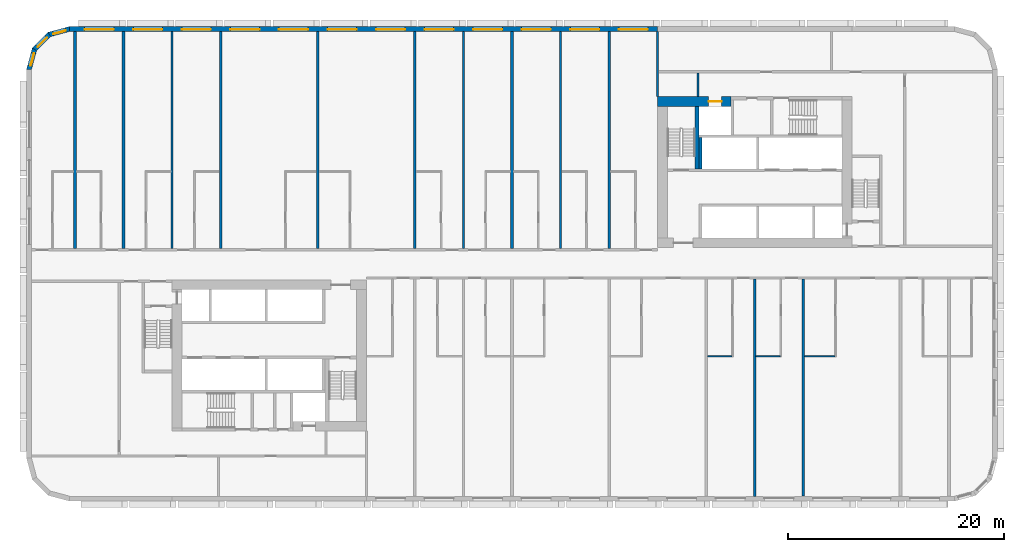
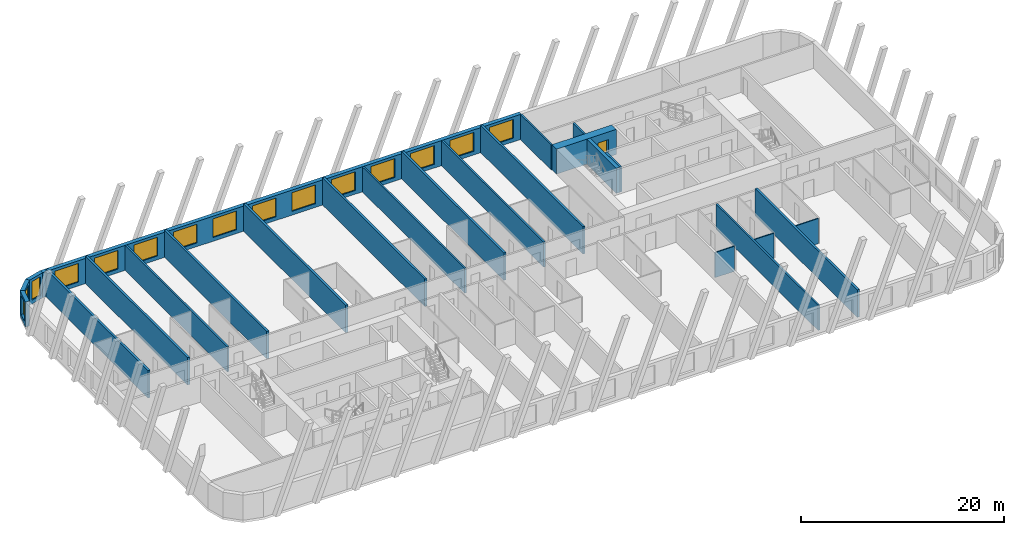
# One storey, part 6 of 13: 24 walls, 15 windows, 1 door, 16 openings.
"""IFC4 building model written with IfcOpenShell, lengths in metres."""

from ifc_helpers import new_model, si_unit, direction, frame, frame_2d, origin, place, context, subcontext, project, spatial, polyline, rectangle, outline, extrude, material, layer, layer_set, type_object, element, fill, save


model = new_model("IFC4")

# Units and contexts
model_context = context("Model", 3, precision=1e-05, world=origin(), true_north=direction((0.0, 1.0)))
body_context = subcontext(model_context, "Body", "Model", "MODEL_VIEW")
ifc_project = project(units=[si_unit("LENGTHUNIT", "METRE"), si_unit("AREAUNIT", "SQUARE_METRE"), si_unit("VOLUMEUNIT", "CUBIC_METRE"), si_unit("PLANEANGLEUNIT", "RADIAN"), si_unit("MASSUNIT", "GRAM", prefix="KILO")], contexts=[model_context])

# Site, building, storey
site_placement = place(None, origin())
site = spatial("IfcSite", under=ifc_project, at=site_placement, CompositionType="ELEMENT")
building_placement = place(site_placement, origin())
building = spatial("IfcBuilding", under=site, at=building_placement, Name="Kajstack Hotel Tower", CompositionType="ELEMENT")
storey_placement = place(building_placement, frame((0.0, 0.0, 69.89990234375)))
storey = spatial("IfcBuildingStorey", under=building, at=storey_placement, Name="L12", CompositionType="ELEMENT", Elevation=69.89990234375)

# Wall, opening, door
ifc_material_1 = material(Name="Concrete C60/75", Category="concrete")
ifc_layer_1 = layer(ifc_material_1, 0.89990234375)
ifc_layer_set_1 = layer_set([ifc_layer_1], Name="Core wall 900")
wall_type_1 = type_object("IfcWallType", Name="Core wall 900", PredefinedType="SHEAR", material=ifc_layer_set_1)
wall_1_placement = place(storey_placement, frame((13.5, 15.050048828125, 0.0), z_axis=(0.0, 0.0, 1.0), x_axis=(1.0, 0.0, 0.0)))
wall_1 = element("IfcWall", 1, at=wall_1_placement, inside=storey, type_object=wall_type_1, Name="Core wall E RS", PredefinedType="SHEAR", context=body_context, shape_type="SweptSolid", body=[
    extrude(rectangle(XDim=6.800048828125, YDim=0.89990234375, at=frame_2d((3.39990234375, 0.0))), origin(), (0.0, 0.0, 1.0), 3.02001953125),
])
opening_1_placement = place(wall_1_placement, frame((4.72509765625, 0.0, 0.0)))
opening_1 = element("IfcOpeningElement", 2, at=opening_1_placement, cuts=wall_1, Name="Opening LD-SV2", PredefinedType="OPENING", context=body_context, shape_type="SweptSolid", body=[
    extrude(rectangle(XDim=1.199951171875, YDim=2.10009765625, at=frame_2d((0.60009765625, 1.050048828125))), frame((0.0, 0.4599609375, 0.0), z_axis=(0.0, -1.0, 0.0), x_axis=(1.0, 0.0, 0.0)), (0.0, 0.0, 1.0), 0.919921875),
])
ifc_material_2 = material(Name="Stainless steel", Category="steel")
door_type = type_object("IfcDoorType", Name="Lift landing door 1200", OperationType="SLIDING_TO_LEFT", PredefinedType="DOOR", material=ifc_material_2)
door_placement = place(opening_1_placement, origin())
door = element("IfcDoor", 3, at=door_placement, inside=storey, type_object=door_type, Name="Landing door SV2", OperationType="SLIDING_TO_LEFT", OverallHeight=2.10009765625, OverallWidth=1.199951171875, PredefinedType="DOOR", context=body_context, shape_type="SweptSolid", body=[
    extrude(rectangle(XDim=1.199951171875, YDim=2.10009765625, at=frame_2d((0.60009765625, 1.050048828125))), frame((0.0, 0.02490234375, 0.0), z_axis=(0.0, -1.0, 0.0), x_axis=(1.0, 0.0, 0.0)), (0.0, 0.0, 1.0), 0.050048828125),
])
fill(opening_1, door)

# Walls
ifc_material_3 = material(Name="Twin-frame gypsum board on steel studs, mineral wool", Category="steel")
ifc_layer_2 = layer(ifc_material_3, 0.199951171875)
ifc_layer_set_2 = layer_set([ifc_layer_2], Name="Demising wall 200")
wall_type_2 = type_object("IfcWallType", Name="Demising wall 200", PredefinedType="PARTITIONING", material=ifc_layer_set_2)
wall_2_placement = place(storey_placement, frame((13.5, 15.5, 0.0), z_axis=(0.0, 0.0, 1.0), x_axis=(0.0, 1.0, 0.0)))
element("IfcWall", 4, at=wall_2_placement, inside=storey, type_object=wall_type_2, Name="G-wall-L12-001", PredefinedType="PARTITIONING", context=body_context, shape_type="SweptSolid", body=[
    extrude(rectangle(XDim=6.050048828125, YDim=0.199951171875, at=frame_2d((3.02490234375, 0.0))), origin(), (0.0, 0.0, 1.0), 3.02001953125),
])
for number, where, z_axis, x_axis, name in (
    (5, (-31.5, 1.39990234375, 0.0), (0.0, 0.0, 1.0), (0.0, 1.0, 0.0), "G-wall-L12-008"),
    (6, (-4.5, 1.39990234375, 0.0), (0.0, 0.0, 1.0), (0.0, 1.0, 0.0), "G-wall-L12-017"),
    (7, (4.5, 1.39990234375, 0.0), (0.0, 0.0, 1.0), (0.0, 1.0, 0.0), "G-wall-L12-022"),
    (8, (22.5, -21.550048828125, 0.0), (0.0, 0.0, 1.0), (0.0, 1.0, 0.0), "G-wall-L12-041"),
):
    element("IfcWall", number, at=place(storey_placement, frame(where, z_axis=z_axis, x_axis=x_axis)), inside=storey, type_object=wall_type_2, Name=name, PredefinedType="PARTITIONING", context=body_context, shape_type="SweptSolid", body=[
        extrude(rectangle(XDim=20.150146484375, YDim=0.199951171875, at=frame_2d((10.0751953125, 0.0))), origin(), (0.0, 0.0, 1.0), 3.02001953125),
    ])

# Wall, openings, windows
ifc_material_4 = material(Name="Terracotta-faced brick masonry", Category="masonry")
ifc_layer_3 = layer(ifc_material_4, 0.449951171875)
ifc_layer_set_3 = layer_set([ifc_layer_3], Name="EW-TERRA")
wall_type_3 = type_object("IfcWallType", Name="EW-TERRA", PredefinedType="SOLIDWALL", material=ifc_layer_set_3)
wall_3_placement = place(storey_placement, frame((13.5, 21.77490234375, 0.0), z_axis=(0.0, 0.0, 1.0), x_axis=(-1.0, 0.0, 0.0)))
wall_3 = element("IfcWall", 9, at=wall_3_placement, inside=storey, type_object=wall_type_3, Name="E-wall-L12-11-02", PredefinedType="SOLIDWALL", context=body_context, shape_type="SweptSolid", body=[
    extrude(rectangle(XDim=54.5, YDim=0.449951171875, at=frame_2d((27.25, 0.0))), origin(), (0.0, 0.0, 1.0), 3.02001953125),
])
opening_2_placement = place(wall_3_placement, frame((0.89990234375, 0.0, 0.449951171875)))
opening_2 = element("IfcOpeningElement", 10, at=opening_2_placement, cuts=wall_3, Name="Opening W1", PredefinedType="OPENING", context=body_context, shape_type="SweptSolid", body=[
    extrude(rectangle(XDim=2.699951171875, YDim=2.25, at=frame_2d((1.35009765625, 1.125))), frame((0.0, 0.23486328125, 0.0), z_axis=(0.0, -1.0, 0.0), x_axis=(1.0, 0.0, 0.0)), (0.0, 0.0, 1.0), 0.469970703125),
])
opening_3_placement = place(wall_3_placement, frame((5.39990234375, 0.0, 0.449951171875)))
opening_3 = element("IfcOpeningElement", 11, at=opening_3_placement, cuts=wall_3, Name="Opening W1", PredefinedType="OPENING", context=body_context, shape_type="SweptSolid", body=[
    extrude(rectangle(XDim=2.699951171875, YDim=2.25, at=frame_2d((1.35009765625, 1.125))), frame((0.0, 0.23486328125, 0.0), z_axis=(0.0, -1.0, 0.0), x_axis=(1.0, 0.0, 0.0)), (0.0, 0.0, 1.0), 0.469970703125),
])
opening_4_placement = place(wall_3_placement, frame((9.89990234375, 0.0, 0.449951171875)))
opening_4 = element("IfcOpeningElement", 12, at=opening_4_placement, cuts=wall_3, Name="Opening W1", PredefinedType="OPENING", context=body_context, shape_type="SweptSolid", body=[
    extrude(rectangle(XDim=2.699951171875, YDim=2.25, at=frame_2d((1.35009765625, 1.125))), frame((0.0, 0.23486328125, 0.0), z_axis=(0.0, -1.0, 0.0), x_axis=(1.0, 0.0, 0.0)), (0.0, 0.0, 1.0), 0.469970703125),
])
opening_5_placement = place(wall_3_placement, frame((14.39990234375, 0.0, 0.449951171875)))
opening_5 = element("IfcOpeningElement", 13, at=opening_5_placement, cuts=wall_3, Name="Opening W1", PredefinedType="OPENING", context=body_context, shape_type="SweptSolid", body=[
    extrude(rectangle(XDim=2.699951171875, YDim=2.25, at=frame_2d((1.35009765625, 1.125))), frame((0.0, 0.23486328125, 0.0), z_axis=(0.0, -1.0, 0.0), x_axis=(1.0, 0.0, 0.0)), (0.0, 0.0, 1.0), 0.469970703125),
])
opening_6_placement = place(wall_3_placement, frame((18.89990234375, 0.0, 0.449951171875)))
opening_6 = element("IfcOpeningElement", 14, at=opening_6_placement, cuts=wall_3, Name="Opening W1", PredefinedType="OPENING", context=body_context, shape_type="SweptSolid", body=[
    extrude(rectangle(XDim=2.699951171875, YDim=2.25, at=frame_2d((1.35009765625, 1.125))), frame((0.0, 0.23486328125, 0.0), z_axis=(0.0, -1.0, 0.0), x_axis=(1.0, 0.0, 0.0)), (0.0, 0.0, 1.0), 0.469970703125),
])
opening_7_placement = place(wall_3_placement, frame((23.39990234375, 0.0, 0.449951171875)))
opening_7 = element("IfcOpeningElement", 15, at=opening_7_placement, cuts=wall_3, Name="Opening W1", PredefinedType="OPENING", context=body_context, shape_type="SweptSolid", body=[
    extrude(rectangle(XDim=2.699951171875, YDim=2.25, at=frame_2d((1.35009765625, 1.125))), frame((0.0, 0.23486328125, 0.0), z_axis=(0.0, -1.0, 0.0), x_axis=(1.0, 0.0, 0.0)), (0.0, 0.0, 1.0), 0.469970703125),
])
opening_8_placement = place(wall_3_placement, frame((27.89990234375, 0.0, 0.449951171875)))
opening_8 = element("IfcOpeningElement", 16, at=opening_8_placement, cuts=wall_3, Name="Opening W1", PredefinedType="OPENING", context=body_context, shape_type="SweptSolid", body=[
    extrude(rectangle(XDim=2.699951171875, YDim=2.25, at=frame_2d((1.35009765625, 1.125))), frame((0.0, 0.23486328125, 0.0), z_axis=(0.0, -1.0, 0.0), x_axis=(1.0, 0.0, 0.0)), (0.0, 0.0, 1.0), 0.469970703125),
])
opening_9_placement = place(wall_3_placement, frame((32.39990234375, 0.0, 0.449951171875)))
opening_9 = element("IfcOpeningElement", 17, at=opening_9_placement, cuts=wall_3, Name="Opening W1", PredefinedType="OPENING", context=body_context, shape_type="SweptSolid", body=[
    extrude(rectangle(XDim=2.699951171875, YDim=2.25, at=frame_2d((1.35009765625, 1.125))), frame((0.0, 0.23486328125, 0.0), z_axis=(0.0, -1.0, 0.0), x_axis=(1.0, 0.0, 0.0)), (0.0, 0.0, 1.0), 0.469970703125),
])
opening_10_placement = place(wall_3_placement, frame((36.89990234375, 0.0, 0.449951171875)))
opening_10 = element("IfcOpeningElement", 18, at=opening_10_placement, cuts=wall_3, Name="Opening W1", PredefinedType="OPENING", context=body_context, shape_type="SweptSolid", body=[
    extrude(rectangle(XDim=2.699951171875, YDim=2.25, at=frame_2d((1.35009765625, 1.125))), frame((0.0, 0.23486328125, 0.0), z_axis=(0.0, -1.0, 0.0), x_axis=(1.0, 0.0, 0.0)), (0.0, 0.0, 1.0), 0.469970703125),
])
opening_11_placement = place(wall_3_placement, frame((41.39990234375, 0.0, 0.449951171875)))
opening_11 = element("IfcOpeningElement", 19, at=opening_11_placement, cuts=wall_3, Name="Opening W1", PredefinedType="OPENING", context=body_context, shape_type="SweptSolid", body=[
    extrude(rectangle(XDim=2.699951171875, YDim=2.25, at=frame_2d((1.35009765625, 1.125))), frame((0.0, 0.23486328125, 0.0), z_axis=(0.0, -1.0, 0.0), x_axis=(1.0, 0.0, 0.0)), (0.0, 0.0, 1.0), 0.469970703125),
])
opening_12_placement = place(wall_3_placement, frame((45.89990234375, 0.0, 0.449951171875)))
opening_12 = element("IfcOpeningElement", 20, at=opening_12_placement, cuts=wall_3, Name="Opening W1", PredefinedType="OPENING", context=body_context, shape_type="SweptSolid", body=[
    extrude(rectangle(XDim=2.699951171875, YDim=2.25, at=frame_2d((1.35009765625, 1.125))), frame((0.0, 0.23486328125, 0.0), z_axis=(0.0, -1.0, 0.0), x_axis=(1.0, 0.0, 0.0)), (0.0, 0.0, 1.0), 0.469970703125),
])
opening_13_placement = place(wall_3_placement, frame((50.39990234375, 0.0, 0.449951171875)))
opening_13 = element("IfcOpeningElement", 21, at=opening_13_placement, cuts=wall_3, Name="Opening W1", PredefinedType="OPENING", context=body_context, shape_type="SweptSolid", body=[
    extrude(rectangle(XDim=2.699951171875, YDim=2.25, at=frame_2d((1.35009765625, 1.125))), frame((0.0, 0.23486328125, 0.0), z_axis=(0.0, -1.0, 0.0), x_axis=(1.0, 0.0, 0.0)), (0.0, 0.0, 1.0), 0.469970703125),
])
ifc_material_5 = material(Name="Timber-aluminium window, triple glazed", Category="wood")
window_type_1 = type_object("IfcWindowType", Name="WG1", PartitioningType="SINGLE_PANEL", PredefinedType="WINDOW", material=ifc_material_5)
window_1_placement = place(opening_2_placement, origin())
window_1 = element("IfcWindow", 22, at=window_1_placement, inside=storey, type_object=window_type_1, Name="Window W1 L12-11", OverallHeight=2.25, OverallWidth=2.699951171875, PartitioningType="SINGLE_PANEL", PredefinedType="WINDOW", context=body_context, shape_type="SweptSolid", body=[
    extrude(rectangle(XDim=2.699951171875, YDim=2.25, at=frame_2d((1.35009765625, 1.125))), frame((0.0, 0.090087890625, 0.0), z_axis=(0.0, -1.0, 0.0), x_axis=(1.0, 0.0, 0.0)), (0.0, 0.0, 1.0), 0.06005859375),
])
fill(opening_2, window_1)
window_2_placement = place(opening_3_placement, origin())
window_2 = element("IfcWindow", 23, at=window_2_placement, inside=storey, type_object=window_type_1, Name="Window W1 L12-11", OverallHeight=2.25, OverallWidth=2.699951171875, PartitioningType="SINGLE_PANEL", PredefinedType="WINDOW", context=body_context, shape_type="SweptSolid", body=[
    extrude(rectangle(XDim=2.699951171875, YDim=2.25, at=frame_2d((1.35009765625, 1.125))), frame((0.0, 0.090087890625, 0.0), z_axis=(0.0, -1.0, 0.0), x_axis=(1.0, 0.0, 0.0)), (0.0, 0.0, 1.0), 0.06005859375),
])
fill(opening_3, window_2)
window_3_placement = place(opening_4_placement, origin())
window_3 = element("IfcWindow", 24, at=window_3_placement, inside=storey, type_object=window_type_1, Name="Window W1 L12-11", OverallHeight=2.25, OverallWidth=2.699951171875, PartitioningType="SINGLE_PANEL", PredefinedType="WINDOW", context=body_context, shape_type="SweptSolid", body=[
    extrude(rectangle(XDim=2.699951171875, YDim=2.25, at=frame_2d((1.35009765625, 1.125))), frame((0.0, 0.090087890625, 0.0), z_axis=(0.0, -1.0, 0.0), x_axis=(1.0, 0.0, 0.0)), (0.0, 0.0, 1.0), 0.06005859375),
])
fill(opening_4, window_3)
window_4_placement = place(opening_5_placement, origin())
window_4 = element("IfcWindow", 25, at=window_4_placement, inside=storey, type_object=window_type_1, Name="Window W1 L12-11", OverallHeight=2.25, OverallWidth=2.699951171875, PartitioningType="SINGLE_PANEL", PredefinedType="WINDOW", context=body_context, shape_type="SweptSolid", body=[
    extrude(rectangle(XDim=2.699951171875, YDim=2.25, at=frame_2d((1.35009765625, 1.125))), frame((0.0, 0.090087890625, 0.0), z_axis=(0.0, -1.0, 0.0), x_axis=(1.0, 0.0, 0.0)), (0.0, 0.0, 1.0), 0.06005859375),
])
fill(opening_5, window_4)
window_5_placement = place(opening_6_placement, origin())
window_5 = element("IfcWindow", 26, at=window_5_placement, inside=storey, type_object=window_type_1, Name="Window W1 L12-11", OverallHeight=2.25, OverallWidth=2.699951171875, PartitioningType="SINGLE_PANEL", PredefinedType="WINDOW", context=body_context, shape_type="SweptSolid", body=[
    extrude(rectangle(XDim=2.699951171875, YDim=2.25, at=frame_2d((1.35009765625, 1.125))), frame((0.0, 0.090087890625, 0.0), z_axis=(0.0, -1.0, 0.0), x_axis=(1.0, 0.0, 0.0)), (0.0, 0.0, 1.0), 0.06005859375),
])
fill(opening_6, window_5)
window_6_placement = place(opening_7_placement, origin())
window_6 = element("IfcWindow", 27, at=window_6_placement, inside=storey, type_object=window_type_1, Name="Window W1 L12-11", OverallHeight=2.25, OverallWidth=2.699951171875, PartitioningType="SINGLE_PANEL", PredefinedType="WINDOW", context=body_context, shape_type="SweptSolid", body=[
    extrude(rectangle(XDim=2.699951171875, YDim=2.25, at=frame_2d((1.35009765625, 1.125))), frame((0.0, 0.090087890625, 0.0), z_axis=(0.0, -1.0, 0.0), x_axis=(1.0, 0.0, 0.0)), (0.0, 0.0, 1.0), 0.06005859375),
])
fill(opening_7, window_6)
window_7_placement = place(opening_8_placement, origin())
window_7 = element("IfcWindow", 28, at=window_7_placement, inside=storey, type_object=window_type_1, Name="Window W1 L12-11", OverallHeight=2.25, OverallWidth=2.699951171875, PartitioningType="SINGLE_PANEL", PredefinedType="WINDOW", context=body_context, shape_type="SweptSolid", body=[
    extrude(rectangle(XDim=2.699951171875, YDim=2.25, at=frame_2d((1.35009765625, 1.125))), frame((0.0, 0.090087890625, 0.0), z_axis=(0.0, -1.0, 0.0), x_axis=(1.0, 0.0, 0.0)), (0.0, 0.0, 1.0), 0.06005859375),
])
fill(opening_8, window_7)
window_8_placement = place(opening_9_placement, origin())
window_8 = element("IfcWindow", 29, at=window_8_placement, inside=storey, type_object=window_type_1, Name="Window W1 L12-11", OverallHeight=2.25, OverallWidth=2.699951171875, PartitioningType="SINGLE_PANEL", PredefinedType="WINDOW", context=body_context, shape_type="SweptSolid", body=[
    extrude(rectangle(XDim=2.699951171875, YDim=2.25, at=frame_2d((1.35009765625, 1.125))), frame((0.0, 0.090087890625, 0.0), z_axis=(0.0, -1.0, 0.0), x_axis=(1.0, 0.0, 0.0)), (0.0, 0.0, 1.0), 0.06005859375),
])
fill(opening_9, window_8)
window_9_placement = place(opening_10_placement, origin())
window_9 = element("IfcWindow", 30, at=window_9_placement, inside=storey, type_object=window_type_1, Name="Window W1 L12-11", OverallHeight=2.25, OverallWidth=2.699951171875, PartitioningType="SINGLE_PANEL", PredefinedType="WINDOW", context=body_context, shape_type="SweptSolid", body=[
    extrude(rectangle(XDim=2.699951171875, YDim=2.25, at=frame_2d((1.35009765625, 1.125))), frame((0.0, 0.090087890625, 0.0), z_axis=(0.0, -1.0, 0.0), x_axis=(1.0, 0.0, 0.0)), (0.0, 0.0, 1.0), 0.06005859375),
])
fill(opening_10, window_9)
window_10_placement = place(opening_11_placement, origin())
window_10 = element("IfcWindow", 31, at=window_10_placement, inside=storey, type_object=window_type_1, Name="Window W1 L12-11", OverallHeight=2.25, OverallWidth=2.699951171875, PartitioningType="SINGLE_PANEL", PredefinedType="WINDOW", context=body_context, shape_type="SweptSolid", body=[
    extrude(rectangle(XDim=2.699951171875, YDim=2.25, at=frame_2d((1.35009765625, 1.125))), frame((0.0, 0.090087890625, 0.0), z_axis=(0.0, -1.0, 0.0), x_axis=(1.0, 0.0, 0.0)), (0.0, 0.0, 1.0), 0.06005859375),
])
fill(opening_11, window_10)
window_11_placement = place(opening_12_placement, origin())
window_11 = element("IfcWindow", 32, at=window_11_placement, inside=storey, type_object=window_type_1, Name="Window W1 L12-11", OverallHeight=2.25, OverallWidth=2.699951171875, PartitioningType="SINGLE_PANEL", PredefinedType="WINDOW", context=body_context, shape_type="SweptSolid", body=[
    extrude(rectangle(XDim=2.699951171875, YDim=2.25, at=frame_2d((1.35009765625, 1.125))), frame((0.0, 0.090087890625, 0.0), z_axis=(0.0, -1.0, 0.0), x_axis=(1.0, 0.0, 0.0)), (0.0, 0.0, 1.0), 0.06005859375),
])
fill(opening_12, window_11)
window_12_placement = place(opening_13_placement, origin())
window_12 = element("IfcWindow", 33, at=window_12_placement, inside=storey, type_object=window_type_1, Name="Window W1 L12-11", OverallHeight=2.25, OverallWidth=2.699951171875, PartitioningType="SINGLE_PANEL", PredefinedType="WINDOW", context=body_context, shape_type="SweptSolid", body=[
    extrude(rectangle(XDim=2.699951171875, YDim=2.25, at=frame_2d((1.35009765625, 1.125))), frame((0.0, 0.090087890625, 0.0), z_axis=(0.0, -1.0, 0.0), x_axis=(1.0, 0.0, 0.0)), (0.0, 0.0, 1.0), 0.06005859375),
])
fill(opening_13, window_12)

# Wall, opening, window
wall_4_placement = place(storey_placement, frame((-40.941650390625, 21.78271484375, 0.0), z_axis=(0.0, 0.0, 1.0), x_axis=(-0.965926999034, -0.25881466832, 0.0)))
wall_4 = element("IfcWall", 34, at=wall_4_placement, inside=storey, type_object=wall_type_3, Name="E-wall-L12-12-00", PredefinedType="SOLIDWALL", context=body_context, shape_type="SweptSolid", body=[
    extrude(outline(polyline([(0.000244140625, -0.22509765625), (2.070556640625, -0.224853515625), (1.9501953125, 0.22509765625), (0.12060546875, 0.22509765625), (0.000244140625, -0.22509765625)])), origin(), (0.0, 0.0, 1.0), 3.02001953125),
])
opening_14_placement = place(wall_4_placement, frame((0.435302734375, 0.0, 0.449951171875)))
opening_14 = element("IfcOpeningElement", 35, at=opening_14_placement, cuts=wall_4, Name="Opening W3", PredefinedType="OPENING", context=body_context, shape_type="SweptSolid", body=[
    extrude(rectangle(XDim=1.199951171875, YDim=2.25, at=frame_2d((0.60009765625, 1.125))), frame((0.0, 0.23486328125, 0.0), z_axis=(0.0, -1.0, 0.0), x_axis=(1.0, 0.0, 0.0)), (0.0, 0.0, 1.0), 0.469970703125),
])
window_type_2 = type_object("IfcWindowType", Name="WG3", PartitioningType="SINGLE_PANEL", PredefinedType="WINDOW", material=ifc_material_5)
window_13_placement = place(opening_14_placement, origin())
window_13 = element("IfcWindow", 36, at=window_13_placement, inside=storey, type_object=window_type_2, Name="Window W3 L12-12", OverallHeight=2.25, OverallWidth=1.199951171875, PartitioningType="SINGLE_PANEL", PredefinedType="WINDOW", context=body_context, shape_type="SweptSolid", body=[
    extrude(rectangle(XDim=1.199951171875, YDim=2.25, at=frame_2d((0.60009765625, 1.125))), frame((0.0, 0.090087890625, 0.0), z_axis=(0.0, -1.0, 0.0), x_axis=(1.0, 0.0, 0.0)), (0.0, 0.0, 1.0), 0.06005859375),
])
fill(opening_14, window_13)

wall_5_placement = place(storey_placement, frame((-42.8408203125, 21.304931640625, 0.0), z_axis=(0.0, 0.0, 1.0), x_axis=(-0.707106781187, -0.707106781187, 0.0)))
wall_5 = element("IfcWall", 37, at=wall_5_placement, inside=storey, type_object=wall_type_3, Name="E-wall-L12-13-00", PredefinedType="SOLIDWALL", context=body_context, shape_type="SweptSolid", body=[
    extrude(outline(polyline([(0.0, -0.22509765625), (2.070556640625, -0.22509765625), (1.949951171875, 0.224853515625), (0.12060546875, 0.224853515625), (0.0, -0.22509765625)])), origin(), (0.0, 0.0, 1.0), 3.02001953125),
])
opening_15_placement = place(wall_5_placement, frame((0.435302734375, 0.0, 0.449951171875)))
opening_15 = element("IfcOpeningElement", 38, at=opening_15_placement, cuts=wall_5, Name="Opening W3", PredefinedType="OPENING", context=body_context, shape_type="SweptSolid", body=[
    extrude(rectangle(XDim=1.199951171875, YDim=2.25, at=frame_2d((0.60009765625, 1.125))), frame((0.0, 0.23486328125, 0.0), z_axis=(0.0, -1.0, 0.0), x_axis=(1.0, 0.0, 0.0)), (0.0, 0.0, 1.0), 0.469970703125),
])
window_14_placement = place(opening_15_placement, origin())
window_14 = element("IfcWindow", 39, at=window_14_placement, inside=storey, type_object=window_type_2, Name="Window W3 L12-13", OverallHeight=2.25, OverallWidth=1.199951171875, PartitioningType="SINGLE_PANEL", PredefinedType="WINDOW", context=body_context, shape_type="SweptSolid", body=[
    extrude(rectangle(XDim=1.199951171875, YDim=2.25, at=frame_2d((0.60009765625, 1.125))), frame((0.0, 0.090087890625, 0.0), z_axis=(0.0, -1.0, 0.0), x_axis=(1.0, 0.0, 0.0)), (0.0, 0.0, 1.0), 0.06005859375),
])
fill(opening_15, window_14)

wall_6_placement = place(storey_placement, frame((-44.246826171875, 19.941650390625, 0.0), z_axis=(0.0, 0.0, 1.0), x_axis=(-0.25881466832, -0.965926999034, 0.0)))
wall_6 = element("IfcWall", 40, at=wall_6_placement, inside=storey, type_object=wall_type_3, Name="E-wall-L12-14-00", PredefinedType="SOLIDWALL", context=body_context, shape_type="SweptSolid", body=[
    extrude(outline(polyline([(-0.000244140625, -0.224853515625), (2.0703125, -0.22509765625), (1.949951171875, 0.22509765625), (0.120361328125, 0.22509765625), (-0.000244140625, -0.224853515625)])), origin(), (0.0, 0.0, 1.0), 3.02001953125),
])
opening_16_placement = place(wall_6_placement, frame((0.435302734375, 0.0, 0.449951171875)))
opening_16 = element("IfcOpeningElement", 41, at=opening_16_placement, cuts=wall_6, Name="Opening W3", PredefinedType="OPENING", context=body_context, shape_type="SweptSolid", body=[
    extrude(rectangle(XDim=1.199951171875, YDim=2.25, at=frame_2d((0.60009765625, 1.125))), frame((0.0, 0.23486328125, 0.0), z_axis=(0.0, -1.0, 0.0), x_axis=(1.0, 0.0, 0.0)), (0.0, 0.0, 1.0), 0.469970703125),
])
window_15_placement = place(opening_16_placement, origin())
window_15 = element("IfcWindow", 42, at=window_15_placement, inside=storey, type_object=window_type_2, Name="Window W3 L12-14", OverallHeight=2.25, OverallWidth=1.199951171875, PartitioningType="SINGLE_PANEL", PredefinedType="WINDOW", context=body_context, shape_type="SweptSolid", body=[
    extrude(rectangle(XDim=1.199951171875, YDim=2.25, at=frame_2d((0.60009765625, 1.125))), frame((0.0, 0.090087890625, 0.0), z_axis=(0.0, -1.0, 0.0), x_axis=(1.0, 0.0, 0.0)), (0.0, 0.0, 1.0), 0.06005859375),
])
fill(opening_16, window_15)

# Walls
ifc_material_6 = material(Name="Gypsum board and tiled backer on steel studs", Category="steel")
ifc_layer_4 = layer(ifc_material_6, 0.125)
ifc_layer_set_4 = layer_set([ifc_layer_4], Name="En-suite wall 125")
wall_type_4 = type_object("IfcWallType", Name="En-suite wall 125", PredefinedType="PARTITIONING", material=ifc_layer_set_4)
for number, where, z_axis, x_axis, name in (
    (43, (18.125, -8.56201171875, 0.0), (0.0, 0.0, 1.0), (1.0, 0.0, 0.0), "G-wall-L12-043"),
    (44, (22.60009765625, -8.56201171875, 0.0), (0.0, 0.0, 1.0), (1.0, 0.0, 0.0), "G-wall-L12-045"),
):
    element("IfcWall", number, at=place(storey_placement, frame(where, z_axis=z_axis, x_axis=x_axis)), inside=storey, type_object=wall_type_4, Name=name, PredefinedType="PARTITIONING", context=body_context, shape_type="SweptSolid", body=[
        extrude(rectangle(XDim=2.25, YDim=0.125, at=frame_2d((1.125, 0.0))), origin(), (0.0, 0.0, 1.0), 3.02001953125),
    ])
wall_7_placement = place(storey_placement, frame((27.125, -8.56201171875, 0.0), z_axis=(0.0, 0.0, 1.0), x_axis=(1.0, 0.0, 0.0)))
element("IfcWall", 45, at=wall_7_placement, inside=storey, type_object=wall_type_4, Name="G-wall-L12-047", PredefinedType="PARTITIONING", context=body_context, shape_type="SweptSolid", body=[
    extrude(rectangle(XDim=2.800048828125, YDim=0.125, at=frame_2d((1.39990234375, 0.0))), origin(), (0.0, 0.0, 1.0), 3.02001953125),
])
ifc_layer_5 = layer(ifc_material_1, 0.25)
ifc_layer_set_5 = layer_set([ifc_layer_5], Name="RC cross wall 250 C60/75")
wall_type_5 = type_object("IfcWallType", Name="RC cross wall 250 C60/75", PredefinedType="SHEAR", material=ifc_layer_set_5)
for number, where, z_axis, x_axis, name in (
    (46, (-40.5, 1.39990234375, 0.0), (0.0, 0.0, 1.0), (0.0, 1.0, 0.0), "S-wall-L12-01"),
    (47, (-36.0, 1.39990234375, 0.0), (0.0, 0.0, 1.0), (0.0, 1.0, 0.0), "S-wall-L12-02"),
    (48, (-27.0, 1.39990234375, 0.0), (0.0, 0.0, 1.0), (0.0, 1.0, 0.0), "S-wall-L12-03"),
    (49, (-18.0, 1.39990234375, 0.0), (0.0, 0.0, 1.0), (0.0, 1.0, 0.0), "S-wall-L12-04"),
    (50, (-9.0, 1.39990234375, 0.0), (0.0, 0.0, 1.0), (0.0, 1.0, 0.0), "S-wall-L12-06"),
    (51, (0.0, 1.39990234375, 0.0), (0.0, 0.0, 1.0), (0.0, 1.0, 0.0), "S-wall-L12-08"),
    (52, (9.0, 1.39990234375, 0.0), (0.0, 0.0, 1.0), (0.0, 1.0, 0.0), "S-wall-L12-10"),
    (53, (27.0, -21.5400390625, 0.0), (0.0, 0.0, 1.0), (0.0, 1.0, 0.0), "S-wall-L12-12"),
):
    element("IfcWall", number, at=place(storey_placement, frame(where, z_axis=z_axis, x_axis=x_axis)), inside=storey, type_object=wall_type_5, Name=name, PredefinedType="SHEAR", context=body_context, shape_type="SweptSolid", body=[
        extrude(rectangle(XDim=20.14013671875, YDim=0.25, at=frame_2d((10.070068359375, 0.0))), origin(), (0.0, 0.0, 1.0), 3.300048828125),
    ])
ifc_material_7 = material(Name="Gypsum board on steel studs, mineral wool", Category="steel")
ifc_layer_6 = layer(ifc_material_7, 0.199951171875)
ifc_layer_set_6 = layer_set([ifc_layer_6], Name="Service partition 200")
wall_type_6 = type_object("IfcWallType", Name="Service partition 200", PredefinedType="PARTITIONING", material=ifc_layer_set_6)
wall_8_placement = place(storey_placement, frame((17.25, 15.5, 0.0), z_axis=(0.0, 0.0, 1.0), x_axis=(0.0, 1.0, 0.0)))
element("IfcWall", 54, at=wall_8_placement, inside=storey, type_object=wall_type_6, Name="Partition E SCE", PredefinedType="PARTITIONING", context=body_context, shape_type="SweptSolid", body=[
    extrude(rectangle(XDim=2.199951171875, YDim=0.199951171875, at=frame_2d((1.10009765625, 0.0))), origin(), (0.0, 0.0, 1.0), 3.02001953125),
])
ifc_material_8 = material(Name="Concrete C50/60", Category="concrete")
ifc_layer_7 = layer(ifc_material_8, 0.25)
ifc_layer_set_7 = layer_set([ifc_layer_7], Name="Shaft wall 250")
wall_type_7 = type_object("IfcWallType", Name="Shaft wall 250", PredefinedType="SHEAR", material=ifc_layer_set_7)
wall_9_placement = place(storey_placement, frame((17.47509765625, 8.800048828125, 0.0), z_axis=(0.0, 0.0, 1.0), x_axis=(0.0, 1.0, 0.0)))
element("IfcWall", 55, at=wall_9_placement, inside=storey, type_object=wall_type_7, Name="Core wall E BE", PredefinedType="SHEAR", context=body_context, shape_type="SweptSolid", body=[
    extrude(rectangle(XDim=2.89990234375, YDim=0.25, at=frame_2d((1.449951171875, 0.0))), origin(), (0.0, 0.0, 1.0), 3.02001953125),
])
ifc_layer_8 = layer(ifc_material_8, 0.39990234375)
ifc_layer_set_8 = layer_set([ifc_layer_8], Name="Stair wall 400")
wall_type_8 = type_object("IfcWallType", Name="Stair wall 400", PredefinedType="SHEAR", material=ifc_layer_set_8)
wall_10_placement = place(storey_placement, frame((17.14990234375, 8.800048828125, 0.0), z_axis=(0.0, 0.0, 1.0), x_axis=(0.0, 1.0, 0.0)))
element("IfcWall", 56, at=wall_10_placement, inside=storey, type_object=wall_type_8, Name="Core wall E WW2", PredefinedType="SHEAR", context=body_context, shape_type="SweptSolid", body=[
    extrude(rectangle(XDim=5.800048828125, YDim=0.39990234375, at=frame_2d((2.89990234375, 0.0))), origin(), (0.0, 0.0, 1.0), 3.02001953125),
])

save(model, "model.ifc")
